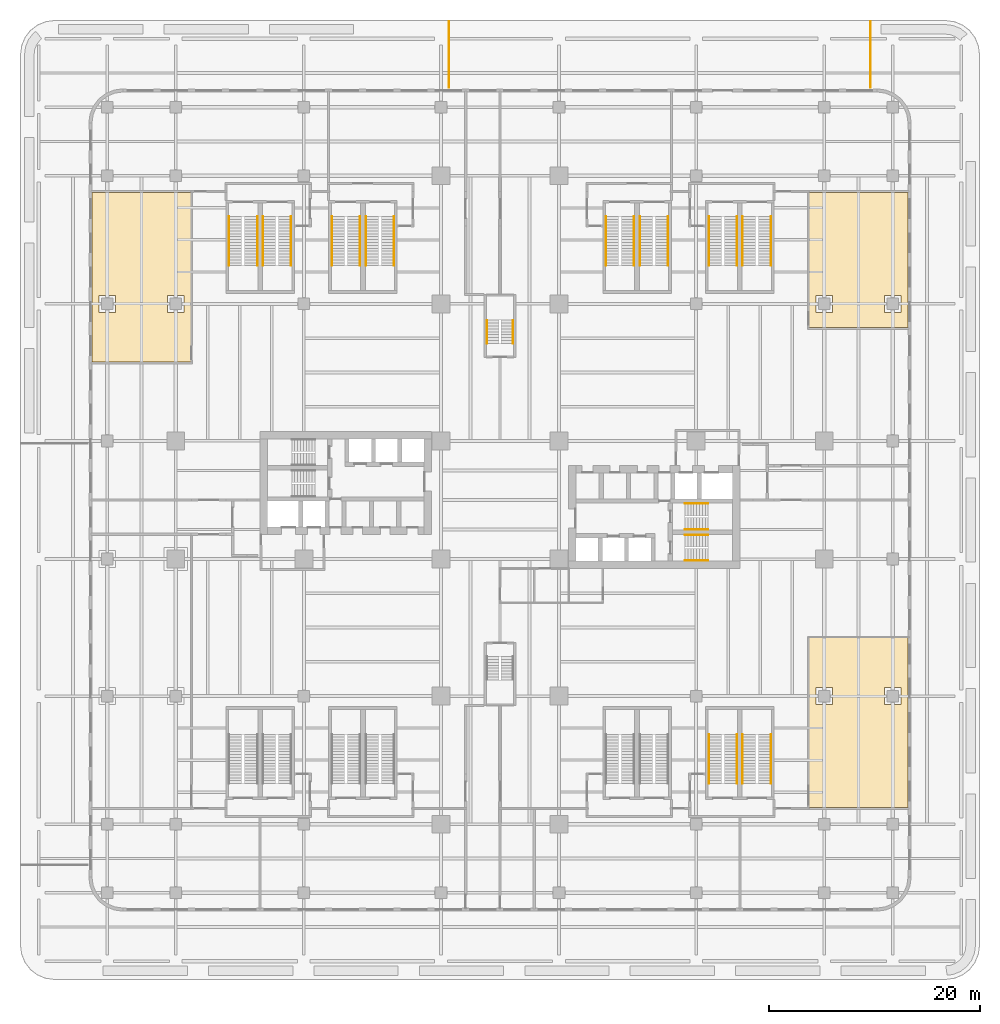
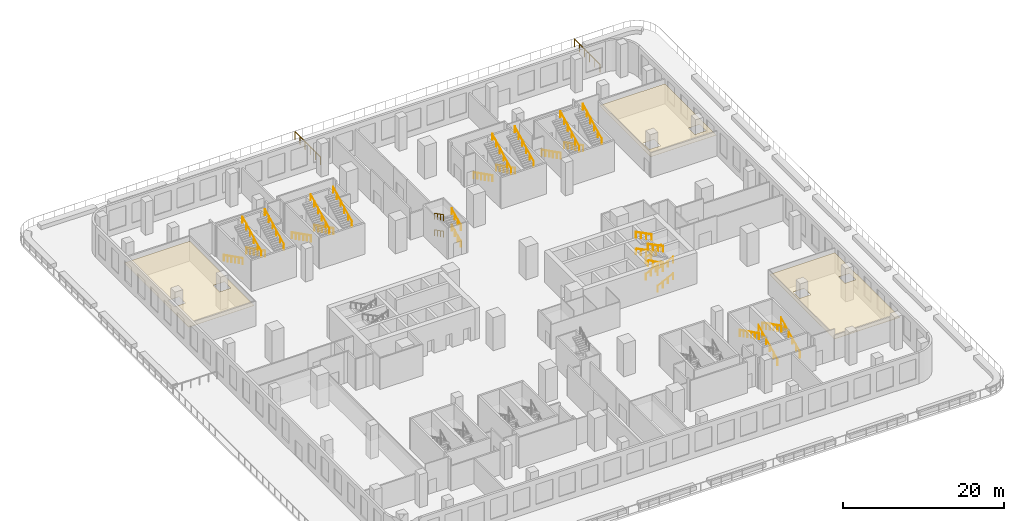
# One storey, part 18 of 18: 34 railings, 3 coverings.
"""IFC4 building model written with IfcOpenShell, lengths in metres."""

from ifc_helpers import new_model, si_unit, direction, frame, origin, origin_2d, place, context, subcontext, project, spatial, polyline, rectangle, circle, outline, extrude, source, transform, mapped, material, layer, layer_set, type_object, element, save


model = new_model("IFC4")

# Units and contexts
model_context = context("Model", 3, precision=1e-05, world=origin(), true_north=direction((0.0, 1.0)))
body_context = subcontext(model_context, "Body", "Model", "MODEL_VIEW")
ifc_project = project(units=[si_unit("LENGTHUNIT", "METRE"), si_unit("AREAUNIT", "SQUARE_METRE"), si_unit("VOLUMEUNIT", "CUBIC_METRE"), si_unit("PLANEANGLEUNIT", "RADIAN"), si_unit("MASSUNIT", "GRAM", prefix="KILO")], contexts=[model_context])

# Site, building, storey
site_placement = place(None, origin())
site = spatial("IfcSite", under=ifc_project, at=site_placement, CompositionType="ELEMENT")
building_placement = place(site_placement, origin())
building = spatial("IfcBuilding", under=site, at=building_placement, Name="Trellis Farm Tower", CompositionType="ELEMENT")
storey_placement = place(building_placement, frame((0.0, 0.0, 14.0)))
storey = spatial("IfcBuildingStorey", under=building, at=storey_placement, Name="L02", CompositionType="ELEMENT", Elevation=14.0)

# Coverings
ifc_material_1 = material(Name="Moisture resistant plasterboard on metal framing")
ifc_layer_1 = layer(ifc_material_1, 0.02490234375)
ifc_layer_set_1 = layer_set([ifc_layer_1], Name="PLASTERBOARD CEILING 25")
covering_type_1 = type_object("IfcCoveringType", Name="PLASTERBOARD CEILING 25", PredefinedType="CEILING", material=ifc_layer_set_1)
placement = place(storey_placement, frame((0.0, 0.0, 3.0)))
element("IfcCovering", 1, at=placement, inside=storey, type_object=covering_type_1, Name="CL2 suspended ceiling", PredefinedType="CEILING", context=body_context, shape_type="SweptSolid", body=[
    extrude(outline(polyline([(29.3125, 16.35009765625), (29.3125, 29.14990234375), (38.699951171875, 29.14990234375), (38.699951171875, 16.35009765625), (29.3125, 16.35009765625)]), holes=[polyline([(29.949951171875, 17.800048828125), (31.550048828125, 17.800048828125), (31.550048828125, 19.39990234375), (29.949951171875, 19.39990234375), (29.949951171875, 17.800048828125)]), polyline([(36.449951171875, 17.800048828125), (38.050048828125, 17.800048828125), (38.050048828125, 19.39990234375), (36.449951171875, 19.39990234375), (36.449951171875, 17.800048828125)])]), origin(), (0.0, 0.0, 1.0), 0.02490234375),
])
element("IfcCovering", 2, at=placement, inside=storey, type_object=covering_type_1, Name="CL2 suspended ceiling", PredefinedType="CEILING", context=body_context, shape_type="SweptSolid", body=[
    extrude(outline(polyline([(-29.3125, 29.14990234375), (-29.3125, 13.10009765625), (-38.699951171875, 13.10009765625), (-38.699951171875, 29.14990234375), (-29.3125, 29.14990234375)]), holes=[polyline([(-38.050048828125, 17.800048828125), (-36.449951171875, 17.800048828125), (-36.449951171875, 19.39990234375), (-38.050048828125, 19.39990234375), (-38.050048828125, 17.800048828125)]), polyline([(-31.550048828125, 17.800048828125), (-29.949951171875, 17.800048828125), (-29.949951171875, 19.39990234375), (-31.550048828125, 19.39990234375), (-31.550048828125, 17.800048828125)])]), origin(), (0.0, 0.0, 1.0), 0.02490234375),
])
ifc_material_2 = material(Name="Oak veneered slat panel on acoustic backing")
ifc_layer_2 = layer(ifc_material_2, 0.06005859375)
ifc_layer_set_2 = layer_set([ifc_layer_2], Name="TIMBER ACOUSTIC SLAT CEILING 60")
covering_type_2 = type_object("IfcCoveringType", Name="TIMBER ACOUSTIC SLAT CEILING 60", PredefinedType="CEILING", material=ifc_layer_set_2)
element("IfcCovering", 3, at=placement, inside=storey, type_object=covering_type_2, Name="CL3 suspended ceiling", PredefinedType="CEILING", context=body_context, shape_type="SweptSolid", body=[
    extrude(outline(polyline([(29.3125, -29.14990234375), (29.3125, -13.050048828125), (38.699951171875, -13.050048828125), (38.699951171875, -29.14990234375), (29.3125, -29.14990234375)]), holes=[polyline([(29.949951171875, -19.39990234375), (31.550048828125, -19.39990234375), (31.550048828125, -17.800048828125), (29.949951171875, -17.800048828125), (29.949951171875, -19.39990234375)]), polyline([(36.449951171875, -19.39990234375), (38.050048828125, -19.39990234375), (38.050048828125, -17.800048828125), (36.449951171875, -17.800048828125), (36.449951171875, -19.39990234375)])]), origin(), (0.0, 0.0, 1.0), 0.06005859375),
])

# Railings
ifc_material_3 = material(Name="Stainless steel", Category="steel")
railing_type_1 = type_object("IfcRailingType", Name="STAIR HANDRAIL 900", PredefinedType="HANDRAIL", material=ifc_material_3)
shared_shape_1 = source(origin(), body_context, "Body", "SweptSolid", [
    extrude(circle(Radius=0.02392578125, at=origin_2d()), frame((0.0, 0.0, 0.8759765625), z_axis=(0.0, 0.892617056473, 0.450815694596), x_axis=(-1.0, 0.0, 0.0)), (0.0, 0.0, 1.0), 2.464599609375),
    extrude(circle(Radius=0.02099609375, at=origin_2d()), origin(), (0.0, 0.0, 1.0), 0.851806640625),
    extrude(circle(Radius=0.02099609375, at=origin_2d()), frame((0.0, 0.7333984375, 0.370361328125)), (0.0, 0.0, 1.0), 0.851806640625),
    extrude(circle(Radius=0.02099609375, at=origin_2d()), frame((0.0, 1.466552734375, 0.74072265625)), (0.0, 0.0, 1.0), 0.851806640625),
    extrude(circle(Radius=0.02099609375, at=origin_2d()), frame((0.0, 2.199951171875, 1.111083984375)), (0.0, 0.0, 1.0), 0.851806640625),
])
for number, where, name in (
    (4, (1.25, 14.85009765625, 0.138916015625), "Stair handrail"),
    (5, (1.25, 14.85009765625, 2.638916015625), "Stair handrail"),
):
    element("IfcRailing", number, at=place(storey_placement, frame(where)), inside=storey, type_object=railing_type_1, Name=name, PredefinedType="HANDRAIL", context=body_context, shape_type="MappedRepresentation", body=[
        mapped(shared_shape_1, transform((0.0, 0.0, 0.0))),
    ])
shared_shape_2 = source(origin(), body_context, "Body", "SweptSolid", [
    extrude(circle(Radius=0.02392578125, at=origin_2d()), frame((0.0, 0.0, 0.8759765625), z_axis=(0.0, -0.892617056473, 0.450815694596), x_axis=(1.0, 0.0, 0.0)), (0.0, 0.0, 1.0), 2.464599609375),
    extrude(circle(Radius=0.02099609375, at=origin_2d()), origin(), (0.0, 0.0, 1.0), 0.851806640625),
    extrude(circle(Radius=0.02099609375, at=origin_2d()), frame((0.0, -0.7333984375, 0.370361328125)), (0.0, 0.0, 1.0), 0.851806640625),
    extrude(circle(Radius=0.02099609375, at=origin_2d()), frame((0.0, -1.466552734375, 0.74072265625)), (0.0, 0.0, 1.0), 0.851806640625),
    extrude(circle(Radius=0.02099609375, at=origin_2d()), frame((0.0, -2.199951171875, 1.111083984375)), (0.0, 0.0, 1.0), 0.851806640625),
])
for number, where, name in (
    (6, (-1.25, 17.050048828125, 1.388916015625), "Stair handrail"),
    (7, (-1.25, 17.050048828125, 3.888916015625), "Stair handrail"),
):
    element("IfcRailing", number, at=place(storey_placement, frame(where)), inside=storey, type_object=railing_type_1, Name=name, PredefinedType="HANDRAIL", context=body_context, shape_type="MappedRepresentation", body=[
        mapped(shared_shape_2, transform((0.0, 0.0, 0.0))),
    ])
shared_shape_3 = source(origin(), body_context, "Body", "SweptSolid", [
    extrude(circle(Radius=0.02392578125, at=origin_2d()), frame((0.0, 0.0, 0.8759765625), z_axis=(0.892617056473, 0.0, 0.450815694596), x_axis=(0.0, 1.0, 0.0)), (0.0, 0.0, 1.0), 2.464599609375),
    extrude(circle(Radius=0.02099609375, at=origin_2d()), origin(), (0.0, 0.0, 1.0), 0.851806640625),
    extrude(circle(Radius=0.02099609375, at=origin_2d()), frame((0.7333984375, 0.0, 0.370361328125)), (0.0, 0.0, 1.0), 0.851806640625),
    extrude(circle(Radius=0.02099609375, at=origin_2d()), frame((1.466552734375, 0.0, 0.74072265625)), (0.0, 0.0, 1.0), 0.851806640625),
    extrude(circle(Radius=0.02099609375, at=origin_2d()), frame((2.199951171875, 0.0, 1.111083984375)), (0.0, 0.0, 1.0), 0.851806640625),
])
for number, where, name in (
    (8, (17.550048828125, -5.75, 0.138916015625), "Stair handrail"),
    (9, (17.550048828125, -5.75, 2.638916015625), "Stair handrail"),
    (10, (17.550048828125, -2.800048828125, 0.138916015625), "Stair handrail"),
    (11, (17.550048828125, -2.800048828125, 2.638916015625), "Stair handrail"),
):
    element("IfcRailing", number, at=place(storey_placement, frame(where)), inside=storey, type_object=railing_type_1, Name=name, PredefinedType="HANDRAIL", context=body_context, shape_type="MappedRepresentation", body=[
        mapped(shared_shape_3, transform((0.0, 0.0, 0.0))),
    ])
shared_shape_4 = source(origin(), body_context, "Body", "SweptSolid", [
    extrude(circle(Radius=0.02392578125, at=origin_2d()), frame((0.0, 0.0, 0.8759765625), z_axis=(-0.892617056473, 0.0, 0.450815694596), x_axis=(0.0, -1.0, 0.0)), (0.0, 0.0, 1.0), 2.464599609375),
    extrude(circle(Radius=0.02099609375, at=origin_2d()), origin(), (0.0, 0.0, 1.0), 0.851806640625),
    extrude(circle(Radius=0.02099609375, at=origin_2d()), frame((-0.7333984375, 0.0, 0.370361328125)), (0.0, 0.0, 1.0), 0.851806640625),
    extrude(circle(Radius=0.02099609375, at=origin_2d()), frame((-1.466552734375, 0.0, 0.74072265625)), (0.0, 0.0, 1.0), 0.851806640625),
    extrude(circle(Radius=0.02099609375, at=origin_2d()), frame((-2.199951171875, 0.0, 1.111083984375)), (0.0, 0.0, 1.0), 0.851806640625),
])
for number, where, name in (
    (12, (19.75, -3.300048828125, 1.388916015625), "Stair handrail"),
    (13, (19.75, -3.300048828125, 3.888916015625), "Stair handrail"),
    (14, (19.75, -0.35009765625, 1.388916015625), "Stair handrail"),
    (15, (19.75, -0.35009765625, 3.888916015625), "Stair handrail"),
):
    element("IfcRailing", number, at=place(storey_placement, frame(where)), inside=storey, type_object=railing_type_1, Name=name, PredefinedType="HANDRAIL", context=body_context, shape_type="MappedRepresentation", body=[
        mapped(shared_shape_4, transform((0.0, 0.0, 0.0))),
    ])
shared_shape_5 = source(origin(), body_context, "Body", "SweptSolid", [
    extrude(circle(Radius=0.02392578125, at=origin_2d()), frame((0.0, 0.0, 0.8759765625), z_axis=(0.0, -0.892611158778, 0.450827371868), x_axis=(1.0, 0.0, 0.0)), (0.0, 0.0, 1.0), 5.2373046875),
    extrude(circle(Radius=0.02099609375, at=origin_2d()), origin(), (0.0, 0.0, 1.0), 0.851806640625),
    extrude(circle(Radius=0.02099609375, at=origin_2d()), frame((0.0, -0.93505859375, 0.47216796875)), (0.0, 0.0, 1.0), 0.851806640625),
    extrude(circle(Radius=0.02099609375, at=origin_2d()), frame((0.0, -1.869873046875, 0.9443359375)), (0.0, 0.0, 1.0), 0.851806640625),
    extrude(circle(Radius=0.02099609375, at=origin_2d()), frame((0.0, -2.804931640625, 1.416748046875)), (0.0, 0.0, 1.0), 0.851806640625),
    extrude(circle(Radius=0.02099609375, at=origin_2d()), frame((0.0, -3.73974609375, 1.888916015625)), (0.0, 0.0, 1.0), 0.851806640625),
    extrude(circle(Radius=0.02099609375, at=origin_2d()), frame((0.0, -4.6748046875, 2.361083984375)), (0.0, 0.0, 1.0), 0.851806640625),
])
for number, where, name in (
    (16, (-25.699951171875, 26.89990234375, 0.138916015625), "Stair handrail"),
    (17, (-22.47998046875, 26.89990234375, 0.138916015625), "Stair handrail"),
    (18, (-15.949951171875, 26.89990234375, 0.138916015625), "Stair handrail"),
    (19, (-12.72998046875, 26.89990234375, 0.138916015625), "Stair handrail"),
    (20, (10.050048828125, 26.89990234375, 0.138916015625), "Stair handrail"),
    (21, (13.27001953125, 26.89990234375, 0.138916015625), "Stair handrail"),
    (22, (19.800048828125, 26.89990234375, 0.138916015625), "Stair handrail"),
    (23, (23.02001953125, 26.89990234375, 0.138916015625), "Stair handrail"),
    (24, (19.800048828125, -22.22509765625, 2.638916015625), "Stair handrail"),
    (25, (23.02001953125, -22.22509765625, 2.638916015625), "Stair handrail"),
):
    element("IfcRailing", number, at=place(storey_placement, frame(where)), inside=storey, type_object=railing_type_1, Name=name, PredefinedType="HANDRAIL", context=body_context, shape_type="MappedRepresentation", body=[
        mapped(shared_shape_5, transform((0.0, 0.0, 0.0))),
    ])
shared_shape_6 = source(origin(), body_context, "Body", "SweptSolid", [
    extrude(circle(Radius=0.02392578125, at=origin_2d()), frame((0.0, 0.0, 0.8759765625), z_axis=(0.0, 0.892611158778, 0.450827371868), x_axis=(-1.0, 0.0, 0.0)), (0.0, 0.0, 1.0), 5.2373046875),
    extrude(circle(Radius=0.02099609375, at=origin_2d()), origin(), (0.0, 0.0, 1.0), 0.851806640625),
    extrude(circle(Radius=0.02099609375, at=origin_2d()), frame((0.0, 0.93505859375, 0.47216796875)), (0.0, 0.0, 1.0), 0.851806640625),
    extrude(circle(Radius=0.02099609375, at=origin_2d()), frame((0.0, 1.869873046875, 0.9443359375)), (0.0, 0.0, 1.0), 0.851806640625),
    extrude(circle(Radius=0.02099609375, at=origin_2d()), frame((0.0, 2.804931640625, 1.416748046875)), (0.0, 0.0, 1.0), 0.851806640625),
    extrude(circle(Radius=0.02099609375, at=origin_2d()), frame((0.0, 3.73974609375, 1.888916015625)), (0.0, 0.0, 1.0), 0.851806640625),
    extrude(circle(Radius=0.02099609375, at=origin_2d()), frame((0.0, 4.6748046875, 2.361083984375)), (0.0, 0.0, 1.0), 0.851806640625),
])
for number, where, name in (
    (26, (-23.02001953125, 22.22509765625, 2.638916015625), "Stair handrail"),
    (27, (-19.800048828125, 22.22509765625, 2.638916015625), "Stair handrail"),
    (28, (-13.27001953125, 22.22509765625, 2.638916015625), "Stair handrail"),
    (29, (-10.050048828125, 22.22509765625, 2.638916015625), "Stair handrail"),
    (30, (12.72998046875, 22.22509765625, 2.638916015625), "Stair handrail"),
    (31, (15.949951171875, 22.22509765625, 2.638916015625), "Stair handrail"),
    (32, (22.47998046875, 22.22509765625, 2.638916015625), "Stair handrail"),
    (33, (25.699951171875, 22.22509765625, 2.638916015625), "Stair handrail"),
    (34, (22.47998046875, -26.89990234375, 0.138916015625), "Stair handrail"),
    (35, (25.699951171875, -26.89990234375, 0.138916015625), "Stair handrail"),
):
    element("IfcRailing", number, at=place(storey_placement, frame(where)), inside=storey, type_object=railing_type_1, Name=name, PredefinedType="HANDRAIL", context=body_context, shape_type="MappedRepresentation", body=[
        mapped(shared_shape_6, transform((0.0, 0.0, 0.0))),
    ])
ifc_material_4 = material(Name="Stainless steel 316", Category="steel")
railing_type_2 = type_object("IfcRailingType", Name="BALUSTRADE GUARD 1200", PredefinedType="GUARDRAIL", material=ifc_material_4)
shared_shape_7 = source(origin(), body_context, "Body", "SweptSolid", [
    extrude(rectangle(XDim=0.050048828125, YDim=0.050048828125, at=origin_2d()), frame((0.0, 0.0, 1.1748046875), z_axis=(0.0, 1.0, 0.0), x_axis=(-1.0, 0.0, 0.0)), (0.0, 0.0, 1.0), 6.2998046875),
    extrude(rectangle(XDim=0.0400390625, YDim=0.0400390625, at=origin_2d()), origin(), (0.0, 0.0, 1.0), 1.14990234375),
    extrude(rectangle(XDim=0.0400390625, YDim=0.0400390625, at=origin_2d()), frame((0.0, 1.260009765625, 0.0)), (0.0, 0.0, 1.0), 1.14990234375),
    extrude(rectangle(XDim=0.0400390625, YDim=0.0400390625, at=origin_2d()), frame((0.0, 2.52001953125, 0.0)), (0.0, 0.0, 1.0), 1.14990234375),
    extrude(rectangle(XDim=0.0400390625, YDim=0.0400390625, at=origin_2d()), frame((0.0, 3.77978515625, 0.0)), (0.0, 0.0, 1.0), 1.14990234375),
    extrude(rectangle(XDim=0.0400390625, YDim=0.0400390625, at=origin_2d()), frame((0.0, 5.039794921875, 0.0)), (0.0, 0.0, 1.0), 1.14990234375),
    extrude(rectangle(XDim=0.0400390625, YDim=0.0400390625, at=origin_2d()), frame((0.0, 6.2998046875, 0.0)), (0.0, 0.0, 1.0), 1.14990234375),
])
railing_1_placement = place(storey_placement, frame((-4.85009765625, 39.10009765625, 0.0)))
element("IfcRailing", 36, at=railing_1_placement, inside=storey, type_object=railing_type_2, Name="GD2 ZN-1", PredefinedType="GUARDRAIL", context=body_context, shape_type="MappedRepresentation", body=[
    mapped(shared_shape_7, transform((0.0, 0.0, 0.0))),
])
shared_shape_8 = source(origin(), body_context, "Body", "SweptSolid", [
    extrude(rectangle(XDim=0.050048828125, YDim=0.050048828125, at=origin_2d()), frame((0.0, 0.0, 1.1748046875), z_axis=(0.0, -1.0, 0.0), x_axis=(1.0, 0.0, 0.0)), (0.0, 0.0, 1.0), 6.2998046875),
    extrude(rectangle(XDim=0.0400390625, YDim=0.0400390625, at=origin_2d()), origin(), (0.0, 0.0, 1.0), 1.14990234375),
    extrude(rectangle(XDim=0.0400390625, YDim=0.0400390625, at=origin_2d()), frame((0.0, -1.260009765625, 0.0)), (0.0, 0.0, 1.0), 1.14990234375),
    extrude(rectangle(XDim=0.0400390625, YDim=0.0400390625, at=origin_2d()), frame((0.0, -2.52001953125, 0.0)), (0.0, 0.0, 1.0), 1.14990234375),
    extrude(rectangle(XDim=0.0400390625, YDim=0.0400390625, at=origin_2d()), frame((0.0, -3.77978515625, 0.0)), (0.0, 0.0, 1.0), 1.14990234375),
    extrude(rectangle(XDim=0.0400390625, YDim=0.0400390625, at=origin_2d()), frame((0.0, -5.039794921875, 0.0)), (0.0, 0.0, 1.0), 1.14990234375),
    extrude(rectangle(XDim=0.0400390625, YDim=0.0400390625, at=origin_2d()), frame((0.0, -6.2998046875, 0.0)), (0.0, 0.0, 1.0), 1.14990234375),
])
railing_2_placement = place(storey_placement, frame((35.14990234375, 45.39990234375, 0.0)))
element("IfcRailing", 37, at=railing_2_placement, inside=storey, type_object=railing_type_2, Name="GD2 ZN-2", PredefinedType="GUARDRAIL", context=body_context, shape_type="MappedRepresentation", body=[
    mapped(shared_shape_8, transform((0.0, 0.0, 0.0))),
])

save(model, "model.ifc")
